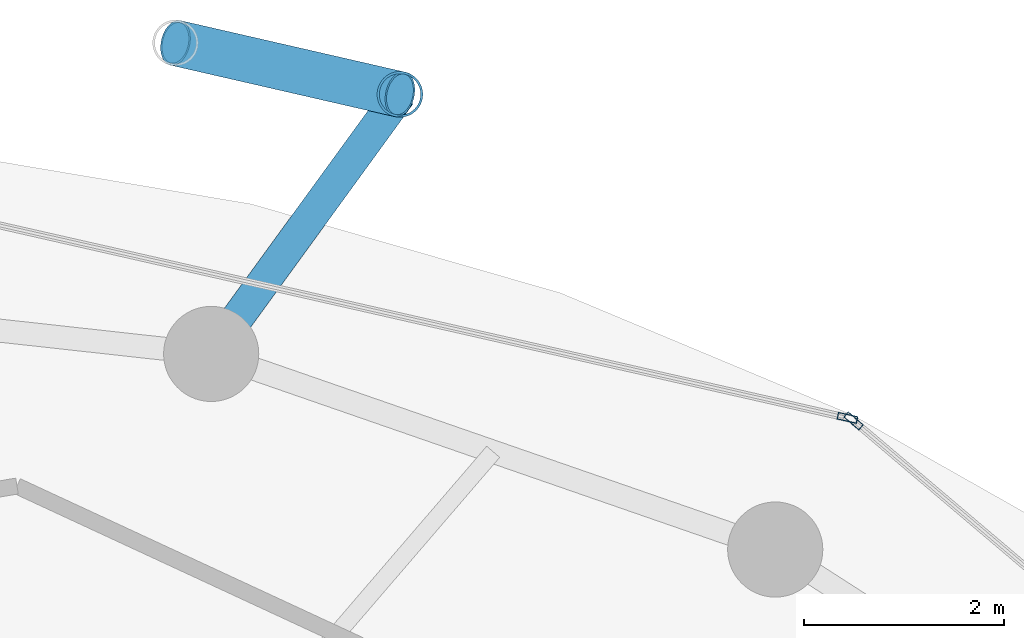
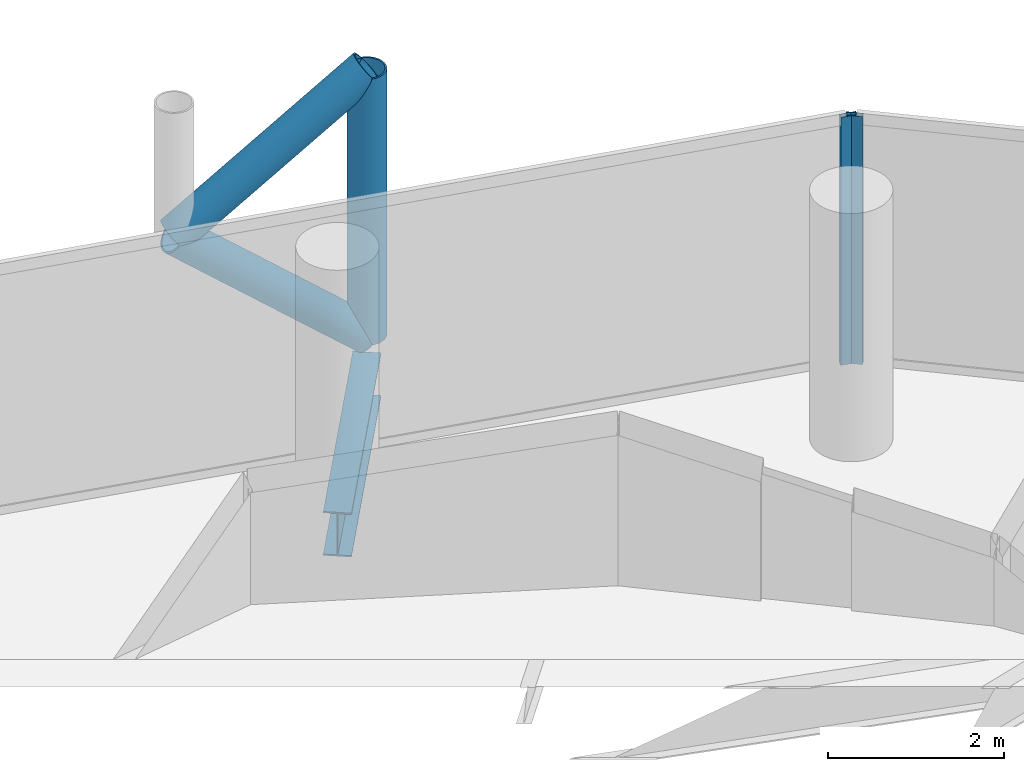
# One storey, part 20 of 26: 5 members, 1 beam, 2 elements without a shape of their own.
"""IFC4 building model written with IfcOpenShell, lengths in metres."""

from ifc_helpers import new_model, si_unit, direction, frame, origin, origin_2d, place, context, subcontext, project, spatial, hollow_rectangle, hollow_circle, i_section, extrude, material, layer, layer_set, material_profile, profile_set, type_object, element, aggregate, save


model = new_model("IFC4")

# Units and contexts
model_context = context("Model", 3, precision=1e-05, world=origin(), true_north=direction((0.0, 1.0)))
body_context = subcontext(model_context, "Body", "Model", "MODEL_VIEW")
ifc_project = project(units=[si_unit("LENGTHUNIT", "METRE"), si_unit("AREAUNIT", "SQUARE_METRE"), si_unit("VOLUMEUNIT", "CUBIC_METRE"), si_unit("PLANEANGLEUNIT", "RADIAN"), si_unit("MASSUNIT", "GRAM", prefix="KILO")], contexts=[model_context])

# Site, building, storey
site_placement = place(None, origin())
site = spatial("IfcSite", under=ifc_project, at=site_placement, CompositionType="ELEMENT")
building_placement = place(site_placement, origin())
building = spatial("IfcBuilding", under=site, at=building_placement, Name="Nuhasar Tower", CompositionType="ELEMENT")
storey_placement = place(building_placement, frame((0.0, 0.0, 173.75)))
storey = spatial("IfcBuildingStorey", under=building, at=storey_placement, Name="L42", CompositionType="ELEMENT", Elevation=173.75)

# Beam
ifc_material_1 = material(Name="Steel S355", Category="steel")
ifc_material_profile_1 = material_profile(ifc_material_1, i_section(OverallWidth=0.323974609375, OverallDepth=0.611083984375, WebThickness=0.0126953125, FlangeThickness=0.01904296875, at=origin_2d()), Name="W24X104")
ifc_profile_set_1 = profile_set([ifc_material_profile_1], Name="Steel S355")
beam_type = type_object("IfcBeamType", Name="BM-TIE-W24X104", PredefinedType="BEAM", material=ifc_profile_set_1)
beam_placement = place(storey_placement, frame((45.04296875, 45.68408203125, -0.554931640625), z_axis=(0.588185286445, 0.808726201387, 0.0), x_axis=(-0.808726201387, 0.588185286445, 0.0)))
element("IfcBeam", 1, at=beam_placement, inside=storey, type_object=beam_type, Name="L42 Exoskeleton Node Tie Beam 03", PredefinedType="BEAM", context=body_context, shape_type="SweptSolid", body=[
    extrude(i_section(OverallWidth=0.323974609375, OverallDepth=0.611083984375, WebThickness=0.0126953125, FlangeThickness=0.01904296875, at=origin_2d()), origin(), (0.0, 0.0, 1.0), 3.204833984375),
])

# Curtain wall, member
ifc_material_2 = material(Name="Aluminium 6063-T6", Category="aluminium")
ifc_layer = layer(ifc_material_2, 0.199951171875)
ifc_layer_set = layer_set([ifc_layer], Name="Aluminium 6063-T6")
curtain_wall_type = type_object("IfcCurtainWallType", Name="CW-Z2-HTL", PredefinedType="NOTDEFINED", material=ifc_layer_set)
curtain_wall_1_placement = place(storey_placement, origin())
curtain_wall_1 = element("IfcCurtainWall", 2, at=curtain_wall_1_placement, inside=storey, type_object=curtain_wall_type, Name="L42 Unitised Curtain Wall 02", PredefinedType="NOTDEFINED")
ifc_material_profile_2 = material_profile(ifc_material_2, hollow_rectangle(XDim=0.070068359375, YDim=0.199951171875, WallThickness=0.0048828125, at=origin_2d()), Name="CWM-3")
ifc_profile_set_2 = profile_set([ifc_material_profile_2], Name="Aluminium 6063-T6")
member_type_1 = type_object("IfcMemberType", Name="CW-MUL-S3", PredefinedType="MULLION", material=ifc_profile_set_2)
member_1_placement = place(storey_placement, frame((51.456787109375, 45.015380859375, 0.0), z_axis=(0.0, 0.0, 1.0), x_axis=(-0.646374438324, -0.763020370292, 0.0)))
member_1 = element("IfcMember", 3, at=member_1_placement, type_object=member_type_1, Name="CW-Z2 mullion 2", PredefinedType="MULLION", context=body_context, shape_type="SweptSolid", body=[
    extrude(hollow_rectangle(XDim=0.070068359375, YDim=0.199951171875, WallThickness=0.0048828125, at=origin_2d()), origin(), (0.0, 0.0, 1.0), 3.449951171875),
])
aggregate(curtain_wall_1, [member_1])

curtain_wall_2_placement = place(storey_placement, origin())
curtain_wall_2 = element("IfcCurtainWall", 4, at=curtain_wall_2_placement, inside=storey, type_object=curtain_wall_type, Name="L42 Unitised Curtain Wall 03", PredefinedType="NOTDEFINED")
member_2_placement = place(storey_placement, frame((51.395751953125, 45.045654296875, 0.0), z_axis=(0.0, 0.0, 1.0), x_axis=(-0.22139729566, -0.975183694221, 0.0)))
member_2 = element("IfcMember", 5, at=member_2_placement, type_object=member_type_1, Name="CW-Z2 mullion 1", PredefinedType="MULLION", context=body_context, shape_type="SweptSolid", body=[
    extrude(hollow_rectangle(XDim=0.070068359375, YDim=0.199951171875, WallThickness=0.0048828125, at=origin_2d()), origin(), (0.0, 0.0, 1.0), 3.449951171875),
])
aggregate(curtain_wall_2, [member_2])

# Members
ifc_material_3 = material(Name="Steel S460", Category="steel")
ifc_material_profile_3 = material_profile(ifc_material_3, hollow_circle(Radius=0.228515625, WallThickness=0.022216796875, at=origin_2d()), Name="HSS457X22.2")
ifc_profile_set_3 = profile_set([ifc_material_profile_3], Name="Steel S460")
member_type_2 = type_object("IfcMemberType", Name="EXO-BRONZE-457", PredefinedType="BRACE", material=ifc_profile_set_3)
member_3_placement = place(storey_placement, frame((46.927978515625, 48.27587890625, 0.0), z_axis=(0.0, 0.0, 1.0), x_axis=(1.0, 0.0, 0.0)))
element("IfcMember", 6, at=member_3_placement, inside=storey, type_object=member_type_2, Name="L42 Exoskeleton Chord Column EC-03A", PredefinedType="BRACE", context=body_context, shape_type="SweptSolid", body=[
    extrude(hollow_circle(Radius=0.228515625, WallThickness=0.022216796875, at=origin_2d()), origin(), (0.0, 0.0, 1.0), 3.699951171875),
])
member_4_placement = place(storey_placement, frame((46.927978515625, 48.27587890625, 0.0), z_axis=(-0.759499549084, 0.174181209885, 0.626754609927), x_axis=(-0.223533724104, -0.974696195842, 0.0)))
element("IfcMember", 7, at=member_4_placement, inside=storey, type_object=member_type_2, Name="L42 Bronze Diagrid Brace W1-03", PredefinedType="BRACE", context=body_context, shape_type="SweptSolid", body=[
    extrude(hollow_circle(Radius=0.228515625, WallThickness=0.022216796875, at=origin_2d()), origin(), (0.0, 0.0, 1.0), 2.951904296875),
])
member_5_placement = place(storey_placement, frame((44.68603515625, 48.7900390625, 1.85009765625), z_axis=(0.759538919781, -0.174190239035, 0.626704388019), x_axis=(0.223533724104, 0.974696195842, 0.0)))
element("IfcMember", 8, at=member_5_placement, inside=storey, type_object=member_type_2, Name="L42 Bronze Diagrid Brace W2-03", PredefinedType="BRACE", context=body_context, shape_type="SweptSolid", body=[
    extrude(hollow_circle(Radius=0.228515625, WallThickness=0.022216796875, at=origin_2d()), origin(), (0.0, 0.0, 1.0), 2.95166015625),
])

save(model, "model.ifc")
